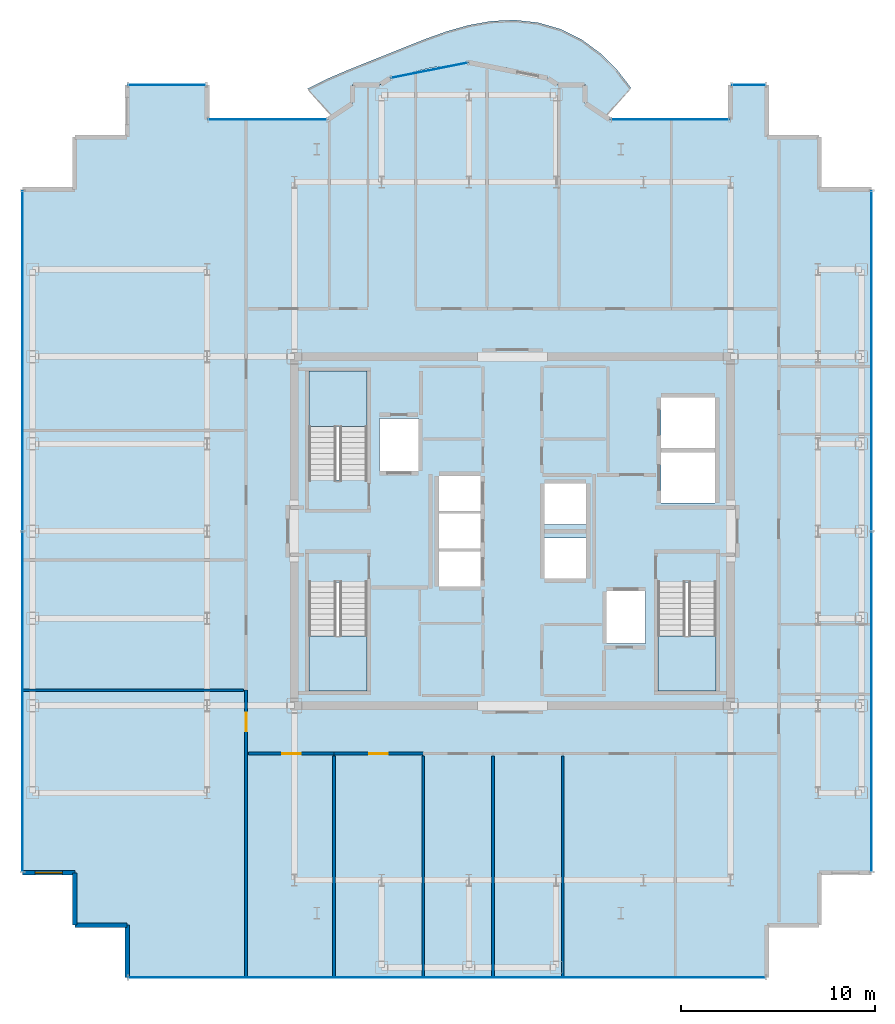
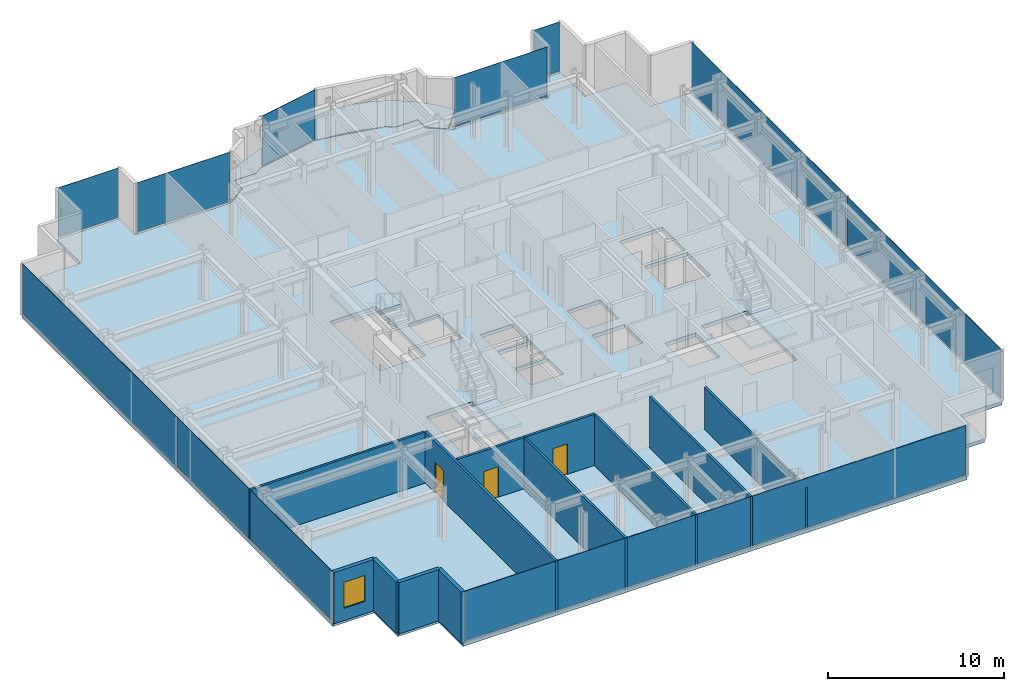
# One storey, part 12 of 18: 12 walls, 10 plates, 5 slabs, 3 doors, 1 window, 4 openings, 11 elements without a shape of their own.
"""IFC4 building model written with IfcOpenShell, lengths in metres."""

from ifc_helpers import new_model, si_unit, direction, frame, frame_2d, origin, origin_2d, place, context, subcontext, project, spatial, polyline, rectangle, outline, extrude, source, transform, mapped, material, layer, layer_set, type_object, element, fill, aggregate, save


model = new_model("IFC4")

# Units and contexts
model_context = context("Model", 3, precision=1e-05, world=origin(), true_north=direction((0.0, 1.0)))
body_context = subcontext(model_context, "Body", "Model", "MODEL_VIEW")
ifc_project = project(units=[si_unit("LENGTHUNIT", "METRE"), si_unit("AREAUNIT", "SQUARE_METRE"), si_unit("VOLUMEUNIT", "CUBIC_METRE"), si_unit("PLANEANGLEUNIT", "RADIAN"), si_unit("MASSUNIT", "GRAM", prefix="KILO")], contexts=[model_context])

# Site, building, storey
site_placement = place(None, origin())
site = spatial("IfcSite", under=ifc_project, at=site_placement, CompositionType="ELEMENT")
building_placement = place(site_placement, origin())
building = spatial("IfcBuilding", under=site, at=building_placement, Name="Nefas-Gora Pilgrimage Tower", CompositionType="ELEMENT")
storey_placement = place(building_placement, frame((0.0, 0.0, 268.39990234375)))
storey = spatial("IfcBuildingStorey", under=building, at=storey_placement, Name="L67", CompositionType="ELEMENT", Elevation=268.39990234375)

# Slabs
ifc_material_1 = material(Name="Concrete C40/50", Category="concrete")
ifc_layer_1 = layer(ifc_material_1, 0.219970703125)
ifc_layer_set_1 = layer_set([ifc_layer_1], Name="Concrete C40/50")
slab_type_1 = type_object("IfcSlabType", Name="SLB-BAL-P0", PredefinedType="FLOOR", material=ifc_layer_set_1)
slab_1_placement = place(storey_placement, frame((0.0, 0.0, -0.219970703125)))
element("IfcSlab", 1, at=slab_1_placement, inside=storey, type_object=slab_type_1, Name="L67 Sinusoidal Lobe Balcony Slab N (Phase 0)", PredefinedType="FLOOR", context=body_context, shape_type="SweptSolid", body=[
    extrude(outline(polyline([(-9.28759765625, 21.385986328125), (-9.224609375, 21.427978515625), (-8.538330078125, 21.9912109375), (-8.260009765625, 22.179931640625), (-8.260009765625, 23.02001953125), (-8.260009765625, 23.02099609375), (-8.259765625, 23.02197265625), (-8.259521484375, 23.02294921875), (-8.25927734375, 23.023681640625), (-8.2587890625, 23.024658203125), (-8.25830078125, 23.025634765625), (-8.2578125, 23.0263671875), (-8.257080078125, 23.027099609375), (-8.25634765625, 23.027587890625), (-8.255615234375, 23.0283203125), (-8.254638671875, 23.02880859375), (-8.25390625, 23.029296875), (-8.2529296875, 23.029541015625), (-8.251953125, 23.02978515625), (-8.2509765625, 23.030029296875), (-8.25, 23.030029296875), (-6.8271484375, 23.030029296875), (-6.31298828125, 23.37353515625), (-6.31201171875, 23.3740234375), (-6.311279296875, 23.37451171875), (-6.310302734375, 23.375), (-6.309326171875, 23.375), (-5.63037109375, 23.51025390625), (-5.102783203125, 23.685302734375), (-4.165283203125, 23.904052734375), (-3.211669921875, 24.035888671875), (-2.919921875, 24.04931640625), (-2.251953125, 24.18212890625), (-2.2509765625, 24.182373046875), (-2.25, 24.182373046875), (-2.2490234375, 24.182373046875), (-2.248046875, 24.18212890625), (-1.580078125, 24.04931640625), (-1.288330078125, 24.035888671875), (-0.334716796875, 23.904052734375), (0.602783203125, 23.685302734375), (1.13037109375, 23.51025390625), (1.809326171875, 23.375), (1.810302734375, 23.375), (1.811279296875, 23.37451171875), (1.81201171875, 23.3740234375), (1.81298828125, 23.37353515625), (2.3271484375, 23.030029296875), (3.75, 23.030029296875), (3.7509765625, 23.030029296875), (3.751953125, 23.02978515625), (3.7529296875, 23.029541015625), (3.75390625, 23.029296875), (3.754638671875, 23.02880859375), (3.755615234375, 23.0283203125), (3.75634765625, 23.027587890625), (3.757080078125, 23.027099609375), (3.7578125, 23.0263671875), (3.75830078125, 23.025634765625), (3.7587890625, 23.024658203125), (3.75927734375, 23.023681640625), (3.759521484375, 23.02294921875), (3.759765625, 23.02197265625), (3.760009765625, 23.02099609375), (3.760009765625, 23.02001953125), (3.760009765625, 22.179931640625), (4.038330078125, 21.9912109375), (4.724609375, 21.427978515625), (4.78759765625, 21.385986328125), (6.114013671875, 22.859375), (5.38720703125, 23.797607421875), (4.537109375, 24.6455078125), (3.562744140625, 25.357177734375), (2.48046875, 25.89306640625), (1.3203125, 26.2294921875), (0.120849609375, 26.3623046875), (-1.07958984375, 26.3076171875), (-2.25, 26.09912109375), (-3.3720703125, 25.78125), (-4.4423828125, 25.39990234375), (-5.471923828125, 24.993896484375), (-6.479248046875, 24.58740234375), (-7.485107421875, 24.18603515625), (-8.50439453125, 23.7763671875), (-9.539306640625, 23.331298828125), (-10.5751953125, 22.816162109375), (-9.28759765625, 21.385986328125)])), origin(), (0.0, 0.0, 1.0), 0.219970703125),
])
ifc_layer_2 = layer(ifc_material_1, 0.25)
ifc_layer_set_2 = layer_set([ifc_layer_2], Name="Concrete C40/50")
slab_type_2 = type_object("IfcSlabType", Name="SLB-TWR-260", PredefinedType="FLOOR", material=ifc_layer_set_2)
slab_2_placement = place(storey_placement, frame((0.0, 0.0, -0.25)))
element("IfcSlab", 2, at=slab_2_placement, inside=storey, type_object=slab_type_2, Name="L67 Structural Floor Slab", PredefinedType="FLOOR", context=body_context, shape_type="SweptSolid", body=[
    extrude(outline(polyline([(15.820068359375, -17.6201171875), (18.52001953125, -17.6201171875), (18.52001953125, 17.6201171875), (15.820068359375, 17.6201171875), (15.820068359375, 20.320068359375), (13.1201171875, 20.320068359375), (13.1201171875, 23.02001953125), (11.25, 23.02001953125), (11.25, 21.219970703125), (5.01806640625, 21.219970703125), (3.75, 22.0673828125), (3.75, 23.02001953125), (2.32421875, 23.02001953125), (1.807373046875, 23.365234375), (-2.25, 24.17236328125), (-6.307373046875, 23.365234375), (-6.82421875, 23.02001953125), (-8.25, 23.02001953125), (-8.25, 22.0673828125), (-9.51806640625, 21.219970703125), (-15.75, 21.219970703125), (-15.75, 23.02001953125), (-19.8701171875, 23.02001953125), (-19.8701171875, 20.320068359375), (-22.570068359375, 20.320068359375), (-22.570068359375, 17.6201171875), (-25.27001953125, 17.6201171875), (-25.27001953125, -17.6201171875), (-22.570068359375, -17.6201171875), (-22.570068359375, -20.320068359375), (-19.8701171875, -20.320068359375), (-19.8701171875, -23.02001953125), (13.1201171875, -23.02001953125), (13.1201171875, -20.320068359375), (15.820068359375, -20.320068359375), (15.820068359375, -17.6201171875)]), holes=[polyline([(-10.5, 2.639892578125), (-10.5, 8.25), (-7.5, 8.25), (-7.5, 2.639892578125), (-10.5, 2.639892578125)]), polyline([(10.5, -2.639892578125), (10.5, -8.25), (7.5, -8.25), (7.5, -2.639892578125), (10.5, -2.639892578125)]), polyline([(-7.5, -2.639892578125), (-7.5, -8.25), (-10.5, -8.25), (-10.5, -2.639892578125), (-7.5, -2.639892578125)]), polyline([(-6.85009765625, 5.800048828125), (-4.85009765625, 5.800048828125), (-4.85009765625, 3.10009765625), (-6.85009765625, 3.10009765625), (-6.85009765625, 5.800048828125)]), polyline([(4.85009765625, -3.10009765625), (6.85009765625, -3.10009765625), (6.85009765625, -5.800048828125), (4.85009765625, -5.800048828125), (4.85009765625, -3.10009765625)]), polyline([(7.64990234375, 4.050048828125), (10.449951171875, 4.050048828125), (10.449951171875, 1.449951171875), (7.64990234375, 1.449951171875), (7.64990234375, 4.050048828125)]), polyline([(7.64990234375, 6.89990234375), (10.449951171875, 6.89990234375), (10.449951171875, 4.300048828125), (7.64990234375, 4.300048828125), (7.64990234375, 6.89990234375)]), polyline([(-3.800048828125, -1.050048828125), (-1.64990234375, -1.050048828125), (-1.64990234375, -2.85009765625), (-3.800048828125, -2.85009765625), (-3.800048828125, -1.050048828125)]), polyline([(-3.800048828125, 0.89990234375), (-1.64990234375, 0.89990234375), (-1.64990234375, -0.89990234375), (-3.800048828125, -0.89990234375), (-3.800048828125, 0.89990234375)]), polyline([(-3.800048828125, 2.85009765625), (-1.64990234375, 2.85009765625), (-1.64990234375, 1.050048828125), (-3.800048828125, 1.050048828125), (-3.800048828125, 2.85009765625)]), polyline([(1.64990234375, -0.35009765625), (3.800048828125, -0.35009765625), (3.800048828125, -2.449951171875), (1.64990234375, -2.449951171875), (1.64990234375, -0.35009765625)]), polyline([(1.64990234375, 2.449951171875), (3.800048828125, 2.449951171875), (3.800048828125, 0.35009765625), (1.64990234375, 0.35009765625), (1.64990234375, 2.449951171875)])]), origin(), (0.0, 0.0, 1.0), 0.25),
])

# Stair, slab
ifc_material_2 = material(Name="Concrete C45/55", Category="concrete")
stair_type = type_object("IfcStairType", Name="STR-1400-R1727", PredefinedType="HALF_TURN_STAIR", material=ifc_material_2)
stair_1_placement = place(storey_placement, origin())
stair_1 = element("IfcStair", 3, at=stair_1_placement, inside=storey, type_object=stair_type, Name="L67 Pressurised Tower Exit Stair ST-01", PredefinedType="HALF_TURN_STAIR")
ifc_layer_3 = layer(ifc_material_1, 0.199951171875)
ifc_layer_set_3 = layer_set([ifc_layer_3], Name="Concrete C40/50")
slab_type_3 = type_object("IfcSlabType", Name="STR-LAND-200", PredefinedType="LANDING", material=ifc_layer_set_3)
slab_3_placement = place(storey_placement, frame((0.0, 0.0, 1.7001953125)))
slab_3 = element("IfcSlab", 4, at=slab_3_placement, type_object=slab_type_3, Name="ST-01 landing 1", PredefinedType="LANDING", context=body_context, shape_type="SweptSolid", body=[
    extrude(outline(polyline([(-7.5, 5.39990234375), (-7.5, 8.25), (-10.5, 8.25), (-10.5, 5.39990234375), (-7.5, 5.39990234375)])), origin(), (0.0, 0.0, 1.0), 0.199951171875),
])
aggregate(stair_1, [slab_3])

stair_2_placement = place(storey_placement, origin())
stair_2 = element("IfcStair", 5, at=stair_2_placement, inside=storey, type_object=stair_type, Name="L67 Pressurised Tower Exit Stair ST-02", PredefinedType="HALF_TURN_STAIR")
slab_4_placement = place(storey_placement, frame((0.0, 0.0, 1.7001953125)))
slab_4 = element("IfcSlab", 6, at=slab_4_placement, type_object=slab_type_3, Name="ST-02 landing 1", PredefinedType="LANDING", context=body_context, shape_type="SweptSolid", body=[
    extrude(outline(polyline([(7.5, -5.39990234375), (7.5, -8.25), (10.5, -8.25), (10.5, -5.39990234375), (7.5, -5.39990234375)])), origin(), (0.0, 0.0, 1.0), 0.199951171875),
])
aggregate(stair_2, [slab_4])

stair_3_placement = place(storey_placement, origin())
stair_3 = element("IfcStair", 7, at=stair_3_placement, inside=storey, type_object=stair_type, Name="L67 Pressurised Tower Exit Stair ST-03", PredefinedType="HALF_TURN_STAIR")
slab_5_placement = place(storey_placement, frame((0.0, 0.0, 1.7001953125)))
slab_5 = element("IfcSlab", 8, at=slab_5_placement, type_object=slab_type_3, Name="ST-03 landing 1", PredefinedType="LANDING", context=body_context, shape_type="SweptSolid", body=[
    extrude(outline(polyline([(-10.5, -5.39990234375), (-10.5, -8.25), (-7.5, -8.25), (-7.5, -5.39990234375), (-10.5, -5.39990234375)])), origin(), (0.0, 0.0, 1.0), 0.199951171875),
])
aggregate(stair_3, [slab_5])

# Curtain wall, plate
ifc_material_3 = material(Name="Dark ceramic-fritted solar-control aluminium-glass curtain wall", Category="aluminium")
ifc_layer_4 = layer(ifc_material_3, 0.219970703125)
ifc_layer_set_4 = layer_set([ifc_layer_4], Name="Dark ceramic-fritted solar-control aluminium-glass curtain wall")
curtain_wall_type_1 = type_object("IfcCurtainWallType", Name="CW-SYS-5", PredefinedType="NOTDEFINED", material=ifc_layer_set_4)
curtain_wall_1_placement = place(storey_placement, origin())
curtain_wall_1 = element("IfcCurtainWall", 9, at=curtain_wall_1_placement, inside=storey, type_object=curtain_wall_type_1, Name="L67 Unitised Curtain Wall CW5", PredefinedType="NOTDEFINED")
ifc_material_4 = material(Name="Dark ceramic-printed low-e insulated glass", Category="glass")
ifc_layer_5 = layer(ifc_material_4, 0.028076171875)
ifc_layer_set_5 = layer_set([ifc_layer_5], Name="Dark ceramic-printed low-e insulated glass")
plate_type_1 = type_object("IfcPlateType", Name="CWP-PNL-5", PredefinedType="CURTAIN_PANEL", material=ifc_layer_set_5)
shared_shape_1 = source(origin(), body_context, "Body", "SweptSolid", [
    extrude(rectangle(XDim=6.052001953125, YDim=0.028076171875, at=origin_2d()), origin(), (0.0, 0.0, 1.0), 3.43994140625),
])
plate_1_placement = place(storey_placement, frame((8.134033203125, 21.219970703125, 0.10009765625), z_axis=(0.0, 0.0, 1.0), x_axis=(-1.0, 0.0, 0.0)))
plate_1 = element("IfcPlate", 10, at=plate_1_placement, type_object=plate_type_1, Name="CW5 Ceramic-Fritted Glazing Panel 1", PredefinedType="CURTAIN_PANEL", context=body_context, shape_type="MappedRepresentation", body=[
    mapped(shared_shape_1, transform((0.0, 0.0, 0.0), x_axis=(1.0, 0.0, 0.0), y_axis=(0.0, 1.0, 0.0), z_axis=(0.0, 0.0, 1.0), scale=1.0)),
])
aggregate(curtain_wall_1, [plate_1])

curtain_wall_2_placement = place(storey_placement, origin())
curtain_wall_2 = element("IfcCurtainWall", 11, at=curtain_wall_2_placement, inside=storey, type_object=curtain_wall_type_1, Name="L67 Unitised Curtain Wall CW5", PredefinedType="NOTDEFINED")
plate_2_placement = place(storey_placement, frame((-12.634033203125, 21.219970703125, 0.10009765625), z_axis=(0.0, 0.0, 1.0), x_axis=(-1.0, 0.0, 0.0)))
plate_2 = element("IfcPlate", 12, at=plate_2_placement, type_object=plate_type_1, Name="CW5 Ceramic-Fritted Glazing Panel 1", PredefinedType="CURTAIN_PANEL", context=body_context, shape_type="MappedRepresentation", body=[
    mapped(shared_shape_1, transform((0.0, 0.0, 0.0), x_axis=(1.0, 0.0, 0.0), y_axis=(0.0, 1.0, 0.0), z_axis=(0.0, 0.0, 1.0), scale=1.0)),
])
aggregate(curtain_wall_2, [plate_2])

curtain_wall_3_placement = place(storey_placement, origin())
curtain_wall_3 = element("IfcCurtainWall", 13, at=curtain_wall_3_placement, inside=storey, type_object=curtain_wall_type_1, Name="L67 Unitised Curtain Wall CW5", PredefinedType="NOTDEFINED")
shared_shape_2 = source(origin(), body_context, "Body", "SweptSolid", [
    extrude(rectangle(XDim=3.956787109375, YDim=0.028076171875, at=origin_2d()), origin(), (0.0, 0.0, 1.0), 3.43994140625),
])
plate_3_placement = place(storey_placement, frame((-4.278564453125, 23.768798828125, 0.10009765625), z_axis=(0.0, 0.0, 1.0), x_axis=(-0.980782896852, -0.195102304554, 0.0)))
plate_3 = element("IfcPlate", 14, at=plate_3_placement, type_object=plate_type_1, Name="CW5 Ceramic-Fritted Glazing Panel 1", PredefinedType="CURTAIN_PANEL", context=body_context, shape_type="MappedRepresentation", body=[
    mapped(shared_shape_2, transform((0.0, 0.0, 0.0), x_axis=(1.0, 0.0, 0.0), y_axis=(0.0, 1.0, 0.0), z_axis=(0.0, 0.0, 1.0), scale=1.0)),
])
aggregate(curtain_wall_3, [plate_3])

ifc_layer_6 = layer(ifc_material_3, 0.219970703125)
ifc_layer_set_6 = layer_set([ifc_layer_6], Name="Dark ceramic-fritted solar-control aluminium-glass curtain wall")
curtain_wall_type_2 = type_object("IfcCurtainWallType", Name="CW-SYS-4", PredefinedType="NOTDEFINED", material=ifc_layer_set_6)
curtain_wall_4_placement = place(storey_placement, origin())
curtain_wall_4 = element("IfcCurtainWall", 15, at=curtain_wall_4_placement, inside=storey, type_object=curtain_wall_type_2, Name="L67 Unitised Curtain Wall CW4", PredefinedType="NOTDEFINED")
ifc_layer_7 = layer(ifc_material_4, 0.030029296875)
ifc_layer_set_7 = layer_set([ifc_layer_7], Name="Dark ceramic-printed low-e insulated glass")
plate_type_2 = type_object("IfcPlateType", Name="CWP-PNL-4", PredefinedType="CURTAIN_PANEL", material=ifc_layer_set_7)
shared_shape_3 = source(origin(), body_context, "Body", "SweptSolid", [
    extrude(rectangle(XDim=1.68994140625, YDim=0.030029296875, at=origin_2d()), origin(), (0.0, 0.0, 1.0), 3.43994140625),
])
plate_4_placement = place(storey_placement, frame((12.18505859375, 23.02001953125, 0.10009765625), z_axis=(0.0, 0.0, 1.0), x_axis=(-1.0, 0.0, 0.0)))
plate_4 = element("IfcPlate", 16, at=plate_4_placement, type_object=plate_type_2, Name="CW4 Ceramic-Fritted Glazing Panel 1", PredefinedType="CURTAIN_PANEL", context=body_context, shape_type="MappedRepresentation", body=[
    mapped(shared_shape_3, transform((0.0, 0.0, 0.0), x_axis=(1.0, 0.0, 0.0), y_axis=(0.0, 1.0, 0.0), z_axis=(0.0, 0.0, 1.0), scale=1.0)),
])
aggregate(curtain_wall_4, [plate_4])

curtain_wall_5_placement = place(storey_placement, origin())
curtain_wall_5 = element("IfcCurtainWall", 17, at=curtain_wall_5_placement, inside=storey, type_object=curtain_wall_type_2, Name="L67 Unitised Curtain Wall CW4", PredefinedType="NOTDEFINED")
shared_shape_4 = source(origin(), body_context, "Body", "SweptSolid", [
    extrude(rectangle(XDim=3.93994140625, YDim=0.030029296875, at=origin_2d()), origin(), (0.0, 0.0, 1.0), 3.43994140625),
])
plate_5_placement = place(storey_placement, frame((-17.81005859375, 23.02001953125, 0.10009765625), z_axis=(0.0, 0.0, 1.0), x_axis=(-1.0, 0.0, 0.0)))
plate_5 = element("IfcPlate", 18, at=plate_5_placement, type_object=plate_type_2, Name="CW4 Ceramic-Fritted Glazing Panel 1", PredefinedType="CURTAIN_PANEL", context=body_context, shape_type="MappedRepresentation", body=[
    mapped(shared_shape_4, transform((0.0, 0.0, 0.0), x_axis=(1.0, 0.0, 0.0), y_axis=(0.0, 1.0, 0.0), z_axis=(0.0, 0.0, 1.0), scale=1.0)),
])
aggregate(curtain_wall_5, [plate_5])

curtain_wall_6_placement = place(storey_placement, origin())
curtain_wall_6 = element("IfcCurtainWall", 19, at=curtain_wall_6_placement, inside=storey, type_object=curtain_wall_type_2, Name="L67 Unitised Curtain Wall CW4", PredefinedType="NOTDEFINED")
shared_shape_5 = source(origin(), body_context, "Body", "SweptSolid", [
    extrude(rectangle(XDim=32.81005859375, YDim=0.030029296875, at=origin_2d()), origin(), (0.0, 0.0, 1.0), 3.43994140625),
])
plate_6_placement = place(storey_placement, frame((-3.375, -23.02001953125, 0.10009765625), z_axis=(0.0, 0.0, 1.0), x_axis=(1.0, 0.0, 0.0)))
plate_6 = element("IfcPlate", 20, at=plate_6_placement, type_object=plate_type_2, Name="CW4 Ceramic-Fritted Glazing Panel 1", PredefinedType="CURTAIN_PANEL", context=body_context, shape_type="MappedRepresentation", body=[
    mapped(shared_shape_5, transform((0.0, 0.0, 0.0), x_axis=(1.0, 0.0, 0.0), y_axis=(0.0, 1.0, 0.0), z_axis=(0.0, 0.0, 1.0), scale=1.0)),
])
aggregate(curtain_wall_6, [plate_6])

# Curtain wall, plates
curtain_wall_7_placement = place(storey_placement, origin())
curtain_wall_7 = element("IfcCurtainWall", 21, at=curtain_wall_7_placement, inside=storey, type_object=curtain_wall_type_2, Name="L67 Unitised Curtain Wall CW4", PredefinedType="NOTDEFINED")
shared_shape_6 = source(origin(), body_context, "Body", "SweptSolid", [
    extrude(rectangle(XDim=17.485107421875, YDim=0.030029296875, at=origin_2d()), origin(), (0.0, 0.0, 1.0), 3.43994140625),
])
plate_7_placement = place(storey_placement, frame((18.52001953125, -8.78759765625, 0.10009765625), z_axis=(0.0, 0.0, 1.0), x_axis=(0.0, 1.0, 0.0)))
plate_7 = element("IfcPlate", 22, at=plate_7_placement, type_object=plate_type_2, Name="CW4 Ceramic-Fritted Glazing Panel 1", PredefinedType="CURTAIN_PANEL", context=body_context, shape_type="MappedRepresentation", body=[
    mapped(shared_shape_6, transform((0.0, 0.0, 0.0), x_axis=(1.0, 0.0, 0.0), y_axis=(0.0, 1.0, 0.0), z_axis=(0.0, 0.0, 1.0), scale=1.0)),
])
plate_8_placement = place(storey_placement, frame((18.52001953125, 8.78759765625, 0.10009765625), z_axis=(0.0, 0.0, 1.0), x_axis=(0.0, 1.0, 0.0)))
plate_8 = element("IfcPlate", 23, at=plate_8_placement, type_object=plate_type_2, Name="CW4 Ceramic-Fritted Glazing Panel 2", PredefinedType="CURTAIN_PANEL", context=body_context, shape_type="MappedRepresentation", body=[
    mapped(shared_shape_6, transform((0.0, 0.0, 0.0), x_axis=(1.0, 0.0, 0.0), y_axis=(0.0, 1.0, 0.0), z_axis=(0.0, 0.0, 1.0), scale=1.0)),
])
aggregate(curtain_wall_7, [plate_7, plate_8])

curtain_wall_8_placement = place(storey_placement, origin())
curtain_wall_8 = element("IfcCurtainWall", 24, at=curtain_wall_8_placement, inside=storey, type_object=curtain_wall_type_2, Name="L67 Unitised Curtain Wall CW4", PredefinedType="NOTDEFINED")
plate_9_placement = place(storey_placement, frame((-25.27001953125, 8.78759765625, 0.10009765625), z_axis=(0.0, 0.0, 1.0), x_axis=(0.0, -1.0, 0.0)))
plate_9 = element("IfcPlate", 25, at=plate_9_placement, type_object=plate_type_2, Name="CW4 Ceramic-Fritted Glazing Panel 1", PredefinedType="CURTAIN_PANEL", context=body_context, shape_type="MappedRepresentation", body=[
    mapped(shared_shape_6, transform((0.0, 0.0, 0.0), x_axis=(1.0, 0.0, 0.0), y_axis=(0.0, 1.0, 0.0), z_axis=(0.0, 0.0, 1.0), scale=1.0)),
])
plate_10_placement = place(storey_placement, frame((-25.27001953125, -8.78759765625, 0.10009765625), z_axis=(0.0, 0.0, 1.0), x_axis=(0.0, -1.0, 0.0)))
plate_10 = element("IfcPlate", 26, at=plate_10_placement, type_object=plate_type_2, Name="CW4 Ceramic-Fritted Glazing Panel 2", PredefinedType="CURTAIN_PANEL", context=body_context, shape_type="MappedRepresentation", body=[
    mapped(shared_shape_6, transform((0.0, 0.0, 0.0), x_axis=(1.0, 0.0, 0.0), y_axis=(0.0, 1.0, 0.0), z_axis=(0.0, 0.0, 1.0), scale=1.0)),
])
aggregate(curtain_wall_8, [plate_9, plate_10])

# Wall, opening, window
ifc_material_5 = material(Name="Precast concrete C45/55", Category="concrete")
ifc_layer_8 = layer(ifc_material_5, 0.239990234375)
ifc_layer_set_8 = layer_set([ifc_layer_8], Name="Precast concrete C45/55")
wall_type_1 = type_object("IfcWallType", Name="EW-SERR-240", PredefinedType="SHEAR", material=ifc_layer_set_8)
shared_shape_7 = source(origin(), body_context, "Body", "SweptSolid", [
    extrude(rectangle(XDim=2.699951171875, YDim=0.239990234375, at=frame_2d((1.35009765625, 0.0))), origin(), (0.0, 0.0, 1.0), 3.550048828125),
])
wall_1_placement = place(storey_placement, frame((-25.27001953125, -17.6201171875, 0.0), z_axis=(0.0, 0.0, 1.0), x_axis=(1.0, 0.0, 0.0)))
wall_1 = element("IfcWall", 27, at=wall_1_placement, inside=storey, type_object=wall_type_1, Name="L67 Serrated Corner Shear Pier Wall 21", PredefinedType="SHEAR", context=body_context, shape_type="MappedRepresentation", body=[
    mapped(shared_shape_7, transform((0.0, 0.0, 0.0), x_axis=(1.0, 0.0, 0.0), y_axis=(0.0, 1.0, 0.0), z_axis=(0.0, 0.0, 1.0), scale=1.0)),
])
opening_1_placement = place(wall_1_placement, frame((0.64990234375, 0.0, 0.85009765625)))
opening_1 = element("IfcOpeningElement", 28, at=opening_1_placement, cuts=wall_1, Name="Opening W-V2", PredefinedType="OPENING", context=body_context, shape_type="SweptSolid", body=[
    extrude(rectangle(XDim=1.39990234375, YDim=1.800048828125, at=frame_2d((0.699951171875, 0.89990234375))), frame((0.0, 0.1298828125, 0.0), z_axis=(0.0, -1.0, 0.0), x_axis=(1.0, 0.0, 0.0)), (0.0, 0.0, 1.0), 0.260009765625),
])
ifc_material_6 = material(Name="Dark ceramic-fritted operable aluminium-glass window", Category="aluminium")
window_type = type_object("IfcWindowType", Name="WIN-VENT-1400x1800", PartitioningType="SINGLE_PANEL", PredefinedType="WINDOW", material=ifc_material_6)
shared_shape_8 = source(origin(), body_context, "Body", "SweptSolid", [
    extrude(rectangle(XDim=1.39990234375, YDim=1.800048828125, at=frame_2d((0.699951171875, 0.89990234375))), frame((0.0, 0.030029296875, 0.0), z_axis=(0.0, -1.0, 0.0), x_axis=(1.0, 0.0, 0.0)), (0.0, 0.0, 1.0), 0.06005859375),
])
window_placement = place(opening_1_placement, origin())
window = element("IfcWindow", 29, at=window_placement, inside=storey, type_object=window_type, Name="L67 Operable Parallel-Outswing Window 21", OverallHeight=1.800048828125, OverallWidth=1.39990234375, PartitioningType="SINGLE_PANEL", PredefinedType="WINDOW", context=body_context, shape_type="MappedRepresentation", body=[
    mapped(shared_shape_8, transform((0.0, 0.0, 0.0), x_axis=(1.0, 0.0, 0.0), y_axis=(0.0, 1.0, 0.0), z_axis=(0.0, 0.0, 1.0), scale=1.0)),
])
fill(opening_1, window)

# Walls
for number, where, z_axis, x_axis, name in (
    (30, (-22.570068359375, -17.6201171875, 0.0), (0.0, 0.0, 1.0), (0.0, -1.0, 0.0), "L67 Serrated Corner Shear Pier Wall 22"),
    (31, (-22.570068359375, -20.320068359375, 0.0), (0.0, 0.0, 1.0), (1.0, 0.0, 0.0), "L67 Serrated Corner Shear Pier Wall 23"),
    (32, (-19.8701171875, -20.320068359375, 0.0), (0.0, 0.0, 1.0), (0.0, -1.0, 0.0), "L67 Serrated Corner Shear Pier Wall 24"),
):
    element("IfcWall", number, at=place(storey_placement, frame(where, z_axis=z_axis, x_axis=x_axis)), inside=storey, type_object=wall_type_1, Name=name, PredefinedType="SHEAR", context=body_context, shape_type="MappedRepresentation", body=[
        mapped(shared_shape_7, transform((0.0, 0.0, 0.0), x_axis=(1.0, 0.0, 0.0), y_axis=(0.0, 1.0, 0.0), z_axis=(0.0, 0.0, 1.0), scale=1.0)),
    ])
ifc_material_7 = material(Name="Gypsum twin-stud partition")
ifc_layer_9 = layer(ifc_material_7, 0.139892578125)
ifc_layer_set_9 = layer_set([ifc_layer_9], Name="Gypsum twin-stud partition")
wall_type_2 = type_object("IfcWallType", Name="IW-UNIT-140", PredefinedType="PARTITIONING", material=ifc_layer_set_9)
shared_shape_9 = source(origin(), body_context, "Body", "SweptSolid", [
    extrude(rectangle(XDim=11.429931640625, YDim=0.139892578125, at=frame_2d((5.71484375, 0.0))), origin(), (0.0, 0.0, 1.0), 3.53515625),
])
wall_2_placement = place(storey_placement, frame((-25.2900390625, -8.205078125, 0.0), z_axis=(0.0, 0.0, 1.0), x_axis=(1.0, 0.0, 0.0)))
element("IfcWall", 33, at=wall_2_placement, inside=storey, type_object=wall_type_2, Name="L67 Pilgrim Tea and Beverage Pantry Partition Wall 40", PredefinedType="PARTITIONING", context=body_context, shape_type="MappedRepresentation", body=[
    mapped(shared_shape_9, transform((0.0, 0.0, 0.0), x_axis=(1.0, 0.0, 0.0), y_axis=(0.0, 1.0, 0.0), z_axis=(0.0, 0.0, 1.0), scale=1.0)),
])

# Wall, opening, door
ifc_material_8 = material(Name="Gypsum acoustic stud partition")
ifc_layer_10 = layer(ifc_material_8, 0.159912109375)
ifc_layer_set_10 = layer_set([ifc_layer_10], Name="Gypsum acoustic stud partition")
wall_type_3 = type_object("IfcWallType", Name="IW-CORR-160", PredefinedType="PARTITIONING", material=ifc_layer_set_10)
shared_shape_10 = source(origin(), body_context, "Body", "SweptSolid", [
    extrude(rectangle(XDim=4.425048828125, YDim=0.159912109375, at=frame_2d((2.21240234375, 0.0))), origin(), (0.0, 0.0, 1.0), 3.53515625),
])
wall_3_placement = place(storey_placement, frame((-13.6201171875, -11.469970703125, 0.0), z_axis=(0.0, 0.0, 1.0), x_axis=(1.0, 0.0, 0.0)))
wall_3 = element("IfcWall", 34, at=wall_3_placement, inside=storey, type_object=wall_type_3, Name="L67 Pilgrim Contemplative Lounge Partition Wall 64", PredefinedType="PARTITIONING", context=body_context, shape_type="MappedRepresentation", body=[
    mapped(shared_shape_10, transform((0.0, 0.0, 0.0), x_axis=(1.0, 0.0, 0.0), y_axis=(0.0, 1.0, 0.0), z_axis=(0.0, 0.0, 1.0), scale=1.0)),
])
opening_2_placement = place(wall_3_placement, frame((1.737548828125, 0.0, 0.0)))
opening_2 = element("IfcOpeningElement", 35, at=opening_2_placement, cuts=wall_3, Name="Opening ID-GR1", PredefinedType="OPENING", context=body_context, shape_type="SweptSolid", body=[
    extrude(rectangle(XDim=0.949951171875, YDim=2.10009765625, at=frame_2d((0.47509765625, 1.050048828125))), frame((0.0, 0.08984375, 0.0), z_axis=(0.0, -1.0, 0.0), x_axis=(1.0, 0.0, 0.0)), (0.0, 0.0, 1.0), 0.179931640625),
])
ifc_material_9 = material(Name="Solid core oak fire-rated guest entrance door")
door_type = type_object("IfcDoorType", Name="DR-INT-GUEST-950", OperationType="NOTDEFINED", PredefinedType="DOOR", material=ifc_material_9)
shared_shape_11 = source(origin(), body_context, "Body", "SweptSolid", [
    extrude(rectangle(XDim=0.949951171875, YDim=2.10009765625, at=frame_2d((0.47509765625, 1.050048828125))), frame((0.0, 0.02490234375, 0.0), z_axis=(0.0, -1.0, 0.0), x_axis=(1.0, 0.0, 0.0)), (0.0, 0.0, 1.0), 0.050048828125),
])
door_1_placement = place(opening_2_placement, origin())
door_1 = element("IfcDoor", 36, at=door_1_placement, inside=storey, type_object=door_type, Name="L67 Pilgrim Contemplative Lounge Door 30", OperationType="SINGLE_SWING_RIGHT", OverallHeight=2.10009765625, OverallWidth=0.949951171875, PredefinedType="DOOR", context=body_context, shape_type="MappedRepresentation", body=[
    mapped(shared_shape_11, transform((0.0, 0.0, 0.0), x_axis=(1.0, 0.0, 0.0), y_axis=(0.0, 1.0, 0.0), z_axis=(0.0, 0.0, 1.0), scale=1.0)),
])
fill(opening_2, door_1)

shared_shape_12 = source(origin(), body_context, "Body", "SweptSolid", [
    extrude(rectangle(XDim=4.610107421875, YDim=0.159912109375, at=frame_2d((2.30517578125, 0.0))), origin(), (0.0, 0.0, 1.0), 3.53515625),
])
wall_4_placement = place(storey_placement, frame((-9.205078125, -11.469970703125, 0.0), z_axis=(0.0, 0.0, 1.0), x_axis=(1.0, 0.0, 0.0)))
wall_4 = element("IfcWall", 37, at=wall_4_placement, inside=storey, type_object=wall_type_3, Name="L67 Pilgrim Contemplative Lounge Partition Wall 66", PredefinedType="PARTITIONING", context=body_context, shape_type="MappedRepresentation", body=[
    mapped(shared_shape_12, transform((0.0, 0.0, 0.0), x_axis=(1.0, 0.0, 0.0), y_axis=(0.0, 1.0, 0.0), z_axis=(0.0, 0.0, 1.0), scale=1.0)),
])
opening_3_placement = place(wall_4_placement, frame((1.830078125, 0.0, 0.0)))
opening_3 = element("IfcOpeningElement", 38, at=opening_3_placement, cuts=wall_4, Name="Opening ID-GR1", PredefinedType="OPENING", context=body_context, shape_type="SweptSolid", body=[
    extrude(rectangle(XDim=0.949951171875, YDim=2.10009765625, at=frame_2d((0.47509765625, 1.050048828125))), frame((0.0, 0.08984375, 0.0), z_axis=(0.0, -1.0, 0.0), x_axis=(1.0, 0.0, 0.0)), (0.0, 0.0, 1.0), 0.179931640625),
])
door_2_placement = place(opening_3_placement, origin())
door_2 = element("IfcDoor", 39, at=door_2_placement, inside=storey, type_object=door_type, Name="L67 Pilgrim Contemplative Lounge Door 31", OperationType="SINGLE_SWING_LEFT", OverallHeight=2.10009765625, OverallWidth=0.949951171875, PredefinedType="DOOR", context=body_context, shape_type="MappedRepresentation", body=[
    mapped(shared_shape_11, transform((0.0, 0.0, 0.0), x_axis=(1.0, 0.0, 0.0), y_axis=(0.0, 1.0, 0.0), z_axis=(0.0, 0.0, 1.0), scale=1.0)),
])
fill(opening_3, door_2)

shared_shape_13 = source(origin(), body_context, "Body", "SweptSolid", [
    extrude(rectangle(XDim=14.844970703125, YDim=0.159912109375, at=frame_2d((7.42236328125, 0.0))), origin(), (0.0, 0.0, 1.0), 3.53515625),
])
wall_5_placement = place(storey_placement, frame((-13.739990234375, -23.0400390625, 0.0), z_axis=(0.0, 0.0, 1.0), x_axis=(0.0, 1.0, 0.0)))
wall_5 = element("IfcWall", 40, at=wall_5_placement, inside=storey, type_object=wall_type_3, Name="L67 Pilgrim Tea and Beverage Pantry Partition Wall 39", PredefinedType="PARTITIONING", context=body_context, shape_type="MappedRepresentation", body=[
    mapped(shared_shape_13, transform((0.0, 0.0, 0.0), x_axis=(1.0, 0.0, 0.0), y_axis=(0.0, 1.0, 0.0), z_axis=(0.0, 0.0, 1.0), scale=1.0)),
])
opening_4_placement = place(wall_5_placement, frame((12.71240234375, 0.0, 0.0)))
opening_4 = element("IfcOpeningElement", 41, at=opening_4_placement, cuts=wall_5, Name="Opening ID-GR1", PredefinedType="OPENING", context=body_context, shape_type="SweptSolid", body=[
    extrude(rectangle(XDim=0.949951171875, YDim=2.10009765625, at=frame_2d((0.47509765625, 1.050048828125))), frame((0.0, 0.08984375, 0.0), z_axis=(0.0, -1.0, 0.0), x_axis=(1.0, 0.0, 0.0)), (0.0, 0.0, 1.0), 0.179931640625),
])
door_3_placement = place(opening_4_placement, origin())
door_3 = element("IfcDoor", 42, at=door_3_placement, inside=storey, type_object=door_type, Name="L67 Pilgrim Tea and Beverage Pantry Door 16", OperationType="SINGLE_SWING_RIGHT", OverallHeight=2.10009765625, OverallWidth=0.949951171875, PredefinedType="DOOR", context=body_context, shape_type="MappedRepresentation", body=[
    mapped(shared_shape_11, transform((0.0, 0.0, 0.0), x_axis=(1.0, 0.0, 0.0), y_axis=(0.0, 1.0, 0.0), z_axis=(0.0, 0.0, 1.0), scale=1.0)),
])
fill(opening_4, door_3)

# Walls
shared_shape_14 = source(origin(), body_context, "Body", "SweptSolid", [
    extrude(rectangle(XDim=11.449951171875, YDim=0.139892578125, at=frame_2d((5.72509765625, 0.0))), origin(), (0.0, 0.0, 1.0), 3.53515625),
])
for number, where, z_axis, x_axis, name in (
    (43, (-9.205078125, -23.0400390625, 0.0), (0.0, 0.0, 1.0), (0.0, 1.0, 0.0), "L67 Pilgrim Contemplative Lounge Partition Wall 65"),
    (44, (-4.60498046875, -23.0400390625, 0.0), (0.0, 0.0, 1.0), (0.0, 1.0, 0.0), "L67 Pilgrim Contemplative Lounge Partition Wall 67"),
    (45, (-1.010009765625, -23.0400390625, 0.0), (0.0, 0.0, 1.0), (0.0, 1.0, 0.0), "L67 Pilgrim Contemplative Lounge Partition Wall 69"),
):
    element("IfcWall", number, at=place(storey_placement, frame(where, z_axis=z_axis, x_axis=x_axis)), inside=storey, type_object=wall_type_2, Name=name, PredefinedType="PARTITIONING", context=body_context, shape_type="MappedRepresentation", body=[
        mapped(shared_shape_14, transform((0.0, 0.0, 0.0), x_axis=(1.0, 0.0, 0.0), y_axis=(0.0, 1.0, 0.0), z_axis=(0.0, 0.0, 1.0), scale=1.0)),
    ])
shared_shape_15 = source(origin(), body_context, "Body", "SweptSolid", [
    extrude(rectangle(XDim=11.449951171875, YDim=0.139892578125, at=frame_2d((5.72509765625, 0.0))), origin(), (0.0, 0.0, 1.0), 2.925048828125),
])
wall_6_placement = place(storey_placement, frame((2.594970703125, -23.0400390625, 0.0), z_axis=(0.0, 0.0, 1.0), x_axis=(0.0, 1.0, 0.0)))
element("IfcWall", 46, at=wall_6_placement, inside=storey, type_object=wall_type_2, Name="L67 Pilgrim Contemplative Lounge Partition Wall 71", PredefinedType="PARTITIONING", context=body_context, shape_type="MappedRepresentation", body=[
    mapped(shared_shape_15, transform((0.0, 0.0, 0.0), x_axis=(1.0, 0.0, 0.0), y_axis=(0.0, 1.0, 0.0), z_axis=(0.0, 0.0, 1.0), scale=1.0)),
])

save(model, "model.ifc")
